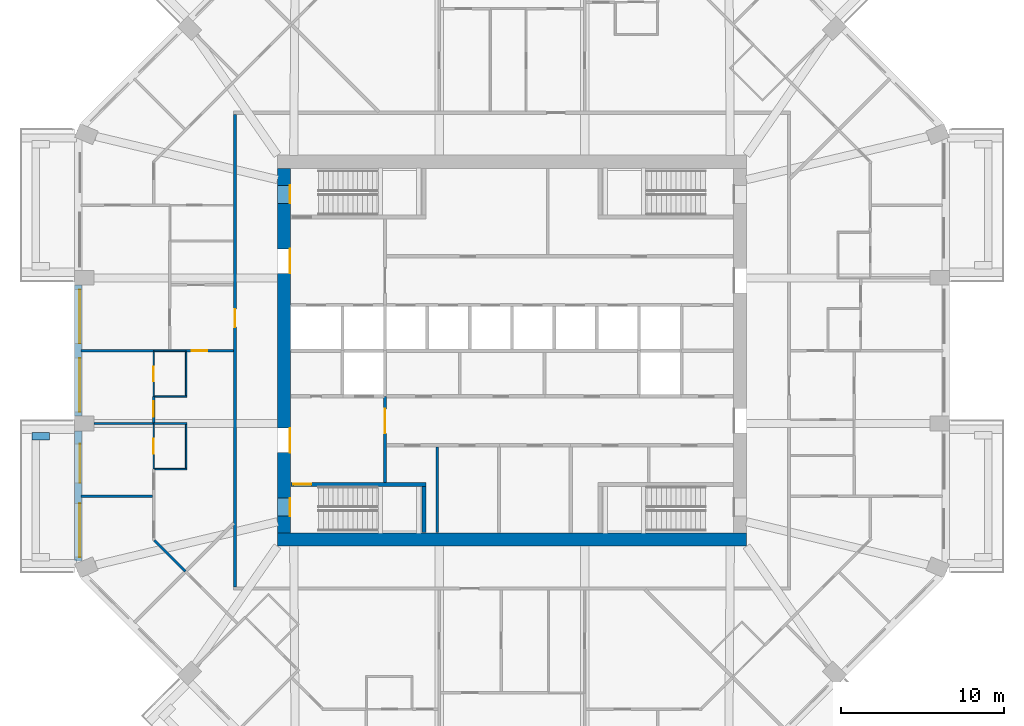
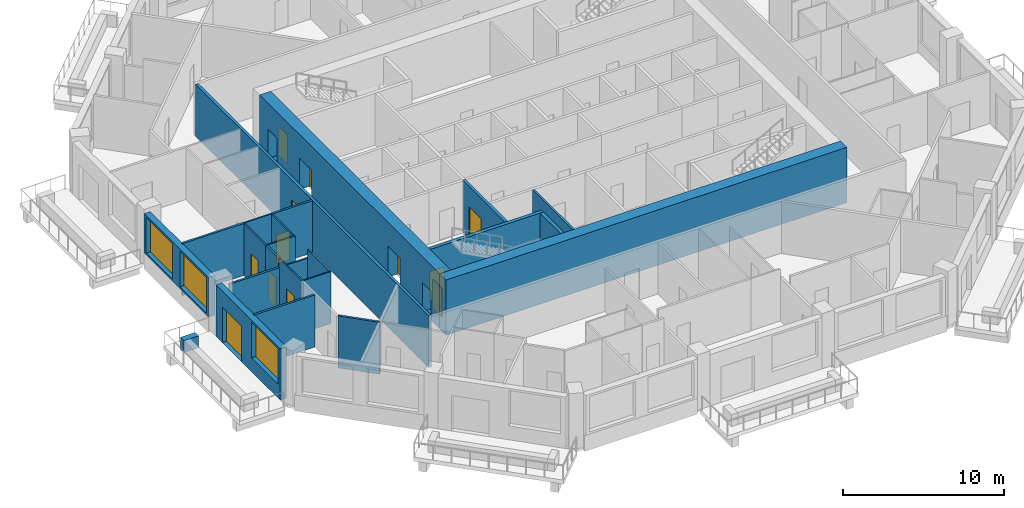
# One storey, part 4 of 13: 24 walls, 12 doors, 3 windows, 15 openings.
"""IFC4 building model written with IfcOpenShell, lengths in metres."""

from ifc_helpers import new_model, si_unit, direction, frame, frame_2d, origin, place, context, subcontext, project, spatial, rectangle, extrude, material, layer, layer_set, type_object, element, fill, save


model = new_model("IFC4")

# Units and contexts
model_context = context("Model", 3, precision=1e-05, world=origin(), true_north=direction((0.0, 1.0)))
body_context = subcontext(model_context, "Body", "Model", "MODEL_VIEW")
ifc_project = project(units=[si_unit("LENGTHUNIT", "METRE"), si_unit("AREAUNIT", "SQUARE_METRE"), si_unit("VOLUMEUNIT", "CUBIC_METRE"), si_unit("PLANEANGLEUNIT", "RADIAN"), si_unit("MASSUNIT", "GRAM", prefix="KILO")], contexts=[model_context])

# Site, building, storey
site_placement = place(None, origin())
site = spatial("IfcSite", under=ifc_project, at=site_placement, CompositionType="ELEMENT")
building_placement = place(site_placement, origin())
building = spatial("IfcBuilding", under=site, at=building_placement, Name="Msitu Wima Residences", CompositionType="ELEMENT")
storey_placement = place(building_placement, frame((0.0, 0.0, 140.10009765625)))
storey = spatial("IfcBuildingStorey", under=building, at=storey_placement, Name="L32", CompositionType="ELEMENT", Elevation=140.10009765625)

# Wall
ifc_material_1 = material(Name="Facing brick")
ifc_layer_1 = layer(ifc_material_1, 0.06494140625, Name="Facing brick")
ifc_material_2 = material(Name="Concrete C40/50", Category="concrete")
ifc_layer_2 = layer(ifc_material_2, 0.156005859375, Name="Concrete C40/50")
ifc_material_3 = material(Name="Waterproofing membrane")
ifc_layer_3 = layer(ifc_material_3, 0.00390625, Name="Waterproofing membrane")
ifc_material_4 = material(Name="Planting soil and planting")
ifc_layer_4 = layer(ifc_material_4, 0.22509765625, Name="Planting soil and planting")
ifc_layer_set_1 = layer_set([ifc_layer_1, ifc_layer_2, ifc_layer_3, ifc_layer_4], Name="Concrete C40/50")
wall_type_1 = type_object("IfcWallType", Name="Balcony planter PLANTER PL450", PredefinedType="USERDEFINED", material=ifc_layer_set_1)
wall_1_placement = place(storey_placement, frame((-28.39990234375, -5.24365234375, 0.0), z_axis=(0.0, 0.0, 1.0), x_axis=(-1.0, 0.0, 0.0)))
element("IfcWall", 1, at=wall_1_placement, inside=storey, type_object=wall_type_1, Name="Balcony planter W2 L32", ObjectType="PLANTER", PredefinedType="USERDEFINED", context=body_context, shape_type="SweptSolid", body=[
    extrude(rectangle(XDim=1.050048828125, YDim=0.449951171875, at=frame_2d((0.52490234375, 0.0))), origin(), (0.0, 0.0, 1.0), 0.89990234375),
])

# Wall, openings, windows
ifc_material_5 = material(Name="Brick (red buff mix)", Category="masonry")
ifc_layer_5 = layer(ifc_material_5, 0.449951171875)
ifc_layer_set_2 = layer_set([ifc_layer_5], Name="Brick (red buff mix)")
wall_type_2 = type_object("IfcWallType", Name="Brick infill wall BW450", PredefinedType="SOLIDWALL", material=ifc_layer_set_2)
wall_2_placement = place(storey_placement, frame((-26.625, 4.0185546875, 0.89990234375), z_axis=(0.0, 0.0, 1.0), x_axis=(0.0, -1.0, 0.0)))
wall_2 = element("IfcWall", 2, at=wall_2_placement, inside=storey, type_object=wall_type_2, Name="Brick infill wall L32 W1", PredefinedType="SOLIDWALL", context=body_context, shape_type="SweptSolid", body=[
    extrude(rectangle(XDim=8.037109375, YDim=0.449951171875, at=frame_2d((4.0185546875, 0.0))), origin(), (0.0, 0.0, 1.0), 3.0),
])
opening_1_placement = place(wall_2_placement, frame((0.2685546875, 0.0, 0.14990234375)))
opening_1 = element("IfcOpeningElement", 3, at=opening_1_placement, cuts=wall_2, Name="Opening W30-32.028", PredefinedType="OPENING", context=body_context, shape_type="SweptSolid", body=[
    extrude(rectangle(XDim=3.300048828125, YDim=2.699951171875, at=frame_2d((1.64990234375, 1.35009765625))), frame((0.0, 0.23486328125, 0.0), z_axis=(0.0, -1.0, 0.0), x_axis=(1.0, 0.0, 0.0)), (0.0, 0.0, 1.0), 0.469970703125),
])
opening_2_placement = place(wall_2_placement, frame((4.46875, 0.0, 0.14990234375)))
opening_2 = element("IfcOpeningElement", 4, at=opening_2_placement, cuts=wall_2, Name="Opening W30-32.029", PredefinedType="OPENING", context=body_context, shape_type="SweptSolid", body=[
    extrude(rectangle(XDim=3.300048828125, YDim=2.699951171875, at=frame_2d((1.64990234375, 1.35009765625))), frame((0.0, 0.23486328125, 0.0), z_axis=(0.0, -1.0, 0.0), x_axis=(1.0, 0.0, 0.0)), (0.0, 0.0, 1.0), 0.469970703125),
])
ifc_material_6 = material(Name="Anodised aluminium, bronze finish, clear low-emissivity double glazing", Category="aluminium")
window_type = type_object("IfcWindowType", Name="Window W3300x2700", PartitioningType="DOUBLE_PANEL_VERTICAL", PredefinedType="WINDOW", material=ifc_material_6)
window_1_placement = place(opening_1_placement, origin())
window_1 = element("IfcWindow", 5, at=window_1_placement, inside=storey, type_object=window_type, Name="Window L32 W1.1", OverallHeight=2.699951171875, OverallWidth=3.300048828125, PartitioningType="SINGLE_PANEL", PredefinedType="WINDOW", context=body_context, shape_type="SweptSolid", body=[
    extrude(rectangle(XDim=3.300048828125, YDim=2.699951171875, at=frame_2d((1.64990234375, 1.35009765625))), frame((0.0, 0.135009765625, 0.0), z_axis=(0.0, -1.0, 0.0), x_axis=(1.0, 0.0, 0.0)), (0.0, 0.0, 1.0), 0.06005859375),
])
fill(opening_1, window_1)
window_2_placement = place(opening_2_placement, origin())
window_2 = element("IfcWindow", 6, at=window_2_placement, inside=storey, type_object=window_type, Name="Window L32 W1.2", OverallHeight=2.699951171875, OverallWidth=3.300048828125, PartitioningType="SINGLE_PANEL", PredefinedType="WINDOW", context=body_context, shape_type="SweptSolid", body=[
    extrude(rectangle(XDim=3.300048828125, YDim=2.699951171875, at=frame_2d((1.64990234375, 1.35009765625))), frame((0.0, 0.135009765625, 0.0), z_axis=(0.0, -1.0, 0.0), x_axis=(1.0, 0.0, 0.0)), (0.0, 0.0, 1.0), 0.06005859375),
])
fill(opening_2, window_2)

# Wall, openings, door, window
wall_3_placement = place(storey_placement, frame((-26.625, -4.918701171875, 0.0), z_axis=(0.0, 0.0, 1.0), x_axis=(0.0, -1.0, 0.0)))
wall_3 = element("IfcWall", 7, at=wall_3_placement, inside=storey, type_object=wall_type_2, Name="Brick infill wall L32 W2", PredefinedType="SOLIDWALL", context=body_context, shape_type="SweptSolid", body=[
    extrude(rectangle(XDim=8.0, YDim=0.449951171875, at=frame_2d((4.0, 0.0))), origin(), (0.0, 0.0, 1.0), 3.89990234375),
])
opening_3_placement = place(wall_3_placement, frame((0.800048828125, 0.0, 0.0)))
opening_3 = element("IfcOpeningElement", 8, at=opening_3_placement, cuts=wall_3, Name="Opening D30-32.010", PredefinedType="OPENING", context=body_context, shape_type="SweptSolid", body=[
    extrude(rectangle(XDim=2.39990234375, YDim=2.699951171875, at=frame_2d((1.199951171875, 1.35009765625))), frame((0.0, 0.23486328125, 0.0), z_axis=(0.0, -1.0, 0.0), x_axis=(1.0, 0.0, 0.0)), (0.0, 0.0, 1.0), 0.469970703125),
])
opening_4_placement = place(wall_3_placement, frame((4.4501953125, 0.0, 1.050048828125)))
opening_4 = element("IfcOpeningElement", 9, at=opening_4_placement, cuts=wall_3, Name="Opening W30-32.030", PredefinedType="OPENING", context=body_context, shape_type="SweptSolid", body=[
    extrude(rectangle(XDim=3.300048828125, YDim=2.699951171875, at=frame_2d((1.64990234375, 1.35009765625))), frame((0.0, 0.23486328125, 0.0), z_axis=(0.0, -1.0, 0.0), x_axis=(1.0, 0.0, 0.0)), (0.0, 0.0, 1.0), 0.469970703125),
])
door_type_1 = type_object("IfcDoorType", Name="Balcony door D2400x2700", OperationType="SLIDING_TO_LEFT", PredefinedType="DOOR", material=ifc_material_6)
door_1_placement = place(opening_3_placement, origin())
door_1 = element("IfcDoor", 10, at=door_1_placement, inside=storey, type_object=door_type_1, Name="Balcony door L32 W2", OperationType="SINGLE_SWING_LEFT", OverallHeight=2.699951171875, OverallWidth=2.39990234375, PredefinedType="DOOR", context=body_context, shape_type="SweptSolid", body=[
    extrude(rectangle(XDim=2.39990234375, YDim=2.699951171875, at=frame_2d((1.199951171875, 1.35009765625))), frame((0.0, 0.1298828125, 0.0), z_axis=(0.0, -1.0, 0.0), x_axis=(1.0, 0.0, 0.0)), (0.0, 0.0, 1.0), 0.050048828125),
])
fill(opening_3, door_1)
window_3_placement = place(opening_4_placement, origin())
window_3 = element("IfcWindow", 11, at=window_3_placement, inside=storey, type_object=window_type, Name="Window L32 W2.2", OverallHeight=2.699951171875, OverallWidth=3.300048828125, PartitioningType="SINGLE_PANEL", PredefinedType="WINDOW", context=body_context, shape_type="SweptSolid", body=[
    extrude(rectangle(XDim=3.300048828125, YDim=2.699951171875, at=frame_2d((1.64990234375, 1.35009765625))), frame((0.0, 0.135009765625, 0.0), z_axis=(0.0, -1.0, 0.0), x_axis=(1.0, 0.0, 0.0)), (0.0, 0.0, 1.0), 0.06005859375),
])
fill(opening_4, window_3)

# Wall
ifc_material_7 = material(Name="Concrete C70/85", Category="concrete")
ifc_layer_6 = layer(ifc_material_7, 0.800048828125)
ifc_layer_set_3 = layer_set([ifc_layer_6], Name="Concrete C70/85")
wall_type_3 = type_object("IfcWallType", Name="Core wall CW800 C70/85", PredefinedType="SHEAR", material=ifc_layer_set_3)
wall_4_placement = place(storey_placement, frame((-14.39990234375, -11.60009765625, 0.0), z_axis=(0.0, 0.0, 1.0), x_axis=(1.0, 0.0, 0.0)))
element("IfcWall", 12, at=wall_4_placement, inside=storey, type_object=wall_type_3, Name="Core wall", PredefinedType="SHEAR", context=body_context, shape_type="SweptSolid", body=[
    extrude(rectangle(XDim=28.7998046875, YDim=0.800048828125, at=frame_2d((14.39990234375, 0.0))), origin(), (0.0, 0.0, 1.0), 4.199951171875),
])

# Wall, openings, doors
wall_5_placement = place(storey_placement, frame((-14.0, -11.199951171875, 0.0), z_axis=(0.0, 0.0, 1.0), x_axis=(0.0, 1.0, 0.0)))
wall_5 = element("IfcWall", 13, at=wall_5_placement, inside=storey, type_object=wall_type_3, Name="Core wall", PredefinedType="SHEAR", context=body_context, shape_type="SweptSolid", body=[
    extrude(rectangle(XDim=22.39990234375, YDim=0.800048828125, at=frame_2d((11.199951171875, 0.0))), origin(), (0.0, 0.0, 1.0), 4.199951171875),
])
opening_5_placement = place(wall_5_placement, frame((20.25, 0.0, 0.0)))
opening_5 = element("IfcOpeningElement", 14, at=opening_5_placement, cuts=wall_5, Name="Opening D30-32.034", PredefinedType="OPENING", context=body_context, shape_type="SweptSolid", body=[
    extrude(rectangle(XDim=1.10009765625, YDim=2.199951171875, at=frame_2d((0.550048828125, 1.10009765625))), frame((0.0, 0.409912109375, 0.0), z_axis=(0.0, -1.0, 0.0), x_axis=(1.0, 0.0, 0.0)), (0.0, 0.0, 1.0), 0.820068359375),
])
opening_6_placement = place(wall_5_placement, frame((1.050048828125, 0.0, 0.0)))
opening_6 = element("IfcOpeningElement", 15, at=opening_6_placement, cuts=wall_5, Name="Opening D30-32.036", PredefinedType="OPENING", context=body_context, shape_type="SweptSolid", body=[
    extrude(rectangle(XDim=1.10009765625, YDim=2.199951171875, at=frame_2d((0.550048828125, 1.10009765625))), frame((0.0, 0.409912109375, 0.0), z_axis=(0.0, -1.0, 0.0), x_axis=(1.0, 0.0, 0.0)), (0.0, 0.0, 1.0), 0.820068359375),
])
opening_7_placement = place(wall_5_placement, frame((15.949951171875, 0.0, 0.0)))
opening_7 = element("IfcOpeningElement", 16, at=opening_7_placement, cuts=wall_5, Name="Opening D30-32.016", PredefinedType="OPENING", context=body_context, shape_type="SweptSolid", body=[
    extrude(rectangle(XDim=1.5, YDim=2.39990234375, at=frame_2d((0.75, 1.199951171875))), frame((0.0, 0.409912109375, 0.0), z_axis=(0.0, -1.0, 0.0), x_axis=(1.0, 0.0, 0.0)), (0.0, 0.0, 1.0), 0.820068359375),
])
opening_8_placement = place(wall_5_placement, frame((4.949951171875, 0.0, 0.0)))
opening_8 = element("IfcOpeningElement", 17, at=opening_8_placement, cuts=wall_5, Name="Opening D30-32.018", PredefinedType="OPENING", context=body_context, shape_type="SweptSolid", body=[
    extrude(rectangle(XDim=1.5, YDim=2.39990234375, at=frame_2d((0.75, 1.199951171875))), frame((0.0, 0.409912109375, 0.0), z_axis=(0.0, -1.0, 0.0), x_axis=(1.0, 0.0, 0.0)), (0.0, 0.0, 1.0), 0.820068359375),
])
ifc_material_8 = material(Name="Steel framed glazed door, fire resisting", Category="steel")
door_type_2 = type_object("IfcDoorType", Name="Lobby door D07 1500x2400", OperationType="DOUBLE_DOOR_SINGLE_SWING", PredefinedType="DOOR", material=ifc_material_8)
door_2_placement = place(opening_7_placement, origin())
door_2 = element("IfcDoor", 18, at=door_2_placement, inside=storey, type_object=door_type_2, Name="Lobby door", OperationType="DOUBLE_DOOR_SINGLE_SWING", OverallHeight=2.39990234375, OverallWidth=1.5, PredefinedType="DOOR", context=body_context, shape_type="SweptSolid", body=[
    extrude(rectangle(XDim=1.5, YDim=2.39990234375, at=frame_2d((0.75, 1.199951171875))), frame((0.0, -0.34521484375, 0.0), z_axis=(0.0, -1.0, 0.0), x_axis=(1.0, 0.0, 0.0)), (0.0, 0.0, 1.0), 0.050048828125),
])
fill(opening_7, door_2)
door_3_placement = place(opening_8_placement, origin())
door_3 = element("IfcDoor", 19, at=door_3_placement, inside=storey, type_object=door_type_2, Name="Lobby door", OperationType="DOUBLE_DOOR_SINGLE_SWING", OverallHeight=2.39990234375, OverallWidth=1.5, PredefinedType="DOOR", context=body_context, shape_type="SweptSolid", body=[
    extrude(rectangle(XDim=1.5, YDim=2.39990234375, at=frame_2d((0.75, 1.199951171875))), frame((0.0, -0.34521484375, 0.0), z_axis=(0.0, -1.0, 0.0), x_axis=(1.0, 0.0, 0.0)), (0.0, 0.0, 1.0), 0.050048828125),
])
fill(opening_8, door_3)
ifc_material_9 = material(Name="Steel door, fire resisting, panic bar", Category="steel")
door_type_3 = type_object("IfcDoorType", Name="Stair door D06 1100x2200", OperationType="SINGLE_SWING_LEFT", PredefinedType="DOOR", material=ifc_material_9)
door_4_placement = place(opening_5_placement, origin())
door_4 = element("IfcDoor", 20, at=door_4_placement, inside=storey, type_object=door_type_3, Name="Stair door", OperationType="SINGLE_SWING_RIGHT", OverallHeight=2.199951171875, OverallWidth=1.10009765625, PredefinedType="DOOR", context=body_context, shape_type="SweptSolid", body=[
    extrude(rectangle(XDim=1.10009765625, YDim=2.199951171875, at=frame_2d((0.550048828125, 1.10009765625))), frame((0.0, -0.34521484375, 0.0), z_axis=(0.0, -1.0, 0.0), x_axis=(1.0, 0.0, 0.0)), (0.0, 0.0, 1.0), 0.050048828125),
])
fill(opening_5, door_4)
door_5_placement = place(opening_6_placement, origin())
door_5 = element("IfcDoor", 21, at=door_5_placement, inside=storey, type_object=door_type_3, Name="Stair door", OperationType="SINGLE_SWING_LEFT", OverallHeight=2.199951171875, OverallWidth=1.10009765625, PredefinedType="DOOR", context=body_context, shape_type="SweptSolid", body=[
    extrude(rectangle(XDim=1.10009765625, YDim=2.199951171875, at=frame_2d((0.550048828125, 1.10009765625))), frame((0.0, -0.34521484375, 0.0), z_axis=(0.0, -1.0, 0.0), x_axis=(1.0, 0.0, 0.0)), (0.0, 0.0, 1.0), 0.050048828125),
])
fill(opening_6, door_5)

# Wall, opening, door
ifc_material_10 = material(Name="Plaster")
ifc_layer_7 = layer(ifc_material_10, 0.011962890625, Name="Plaster")
ifc_material_11 = material(Name="Concrete blockwork", Category="masonry")
ifc_layer_8 = layer(ifc_material_11, 0.176025390625, Name="Concrete blockwork")
ifc_layer_9 = layer(ifc_material_10, 0.011962890625, Name="Plaster")
ifc_layer_set_4 = layer_set([ifc_layer_7, ifc_layer_8, ifc_layer_9], Name="Concrete blockwork")
wall_type_4 = type_object("IfcWallType", Name="Corridor wall FW200", PredefinedType="PARTITIONING", material=ifc_layer_set_4)
wall_6_placement = place(storey_placement, frame((-17.0, -14.5, 0.0), z_axis=(0.0, 0.0, 1.0), x_axis=(0.0, 1.0, 0.0)))
wall_6 = element("IfcWall", 22, at=wall_6_placement, inside=storey, type_object=wall_type_4, Name="Corridor wall", PredefinedType="PARTITIONING", context=body_context, shape_type="SweptSolid", body=[
    extrude(rectangle(XDim=29.0, YDim=0.199951171875, at=frame_2d((14.5, 0.0))), origin(), (0.0, 0.0, 1.0), 3.949951171875),
])
opening_9_placement = place(wall_6_placement, frame((15.949951171875, 0.0, 0.0)))
opening_9 = element("IfcOpeningElement", 23, at=opening_9_placement, cuts=wall_6, Name="Opening D30-32.012", PredefinedType="OPENING", context=body_context, shape_type="SweptSolid", body=[
    extrude(rectangle(XDim=1.10009765625, YDim=2.39990234375, at=frame_2d((0.550048828125, 1.199951171875))), frame((0.0, 0.10986328125, 0.0), z_axis=(0.0, -1.0, 0.0), x_axis=(1.0, 0.0, 0.0)), (0.0, 0.0, 1.0), 0.219970703125),
])
ifc_material_12 = material(Name="Timber flush door, fire resisting, self-closing", Category="wood")
door_type_4 = type_object("IfcDoorType", Name="Flat entrance door D01 1100x2400", OperationType="SINGLE_SWING_LEFT", PredefinedType="DOOR", material=ifc_material_12)
door_6_placement = place(opening_9_placement, origin())
door_6 = element("IfcDoor", 24, at=door_6_placement, inside=storey, type_object=door_type_4, Name="Flat entrance door", OperationType="SINGLE_SWING_LEFT", OverallHeight=2.39990234375, OverallWidth=1.10009765625, PredefinedType="DOOR", context=body_context, shape_type="SweptSolid", body=[
    extrude(rectangle(XDim=1.10009765625, YDim=2.39990234375, at=frame_2d((0.550048828125, 1.199951171875))), frame((0.0, 0.02490234375, 0.0), z_axis=(0.0, -1.0, 0.0), x_axis=(1.0, 0.0, 0.0)), (0.0, 0.0, 1.0), 0.050048828125),
])
fill(opening_9, door_6)

wall_7_placement = place(storey_placement, frame((-7.800048828125, -8.074951171875, 0.0), z_axis=(0.0, 0.0, 1.0), x_axis=(0.0, 1.0, 0.0)))
wall_7 = element("IfcWall", 25, at=wall_7_placement, inside=storey, type_object=wall_type_4, Name="Corridor wall", PredefinedType="PARTITIONING", context=body_context, shape_type="SweptSolid", body=[
    extrude(rectangle(XDim=5.27490234375, YDim=0.199951171875, at=frame_2d((2.637451171875, 0.0))), origin(), (0.0, 0.0, 1.0), 3.949951171875),
])
opening_10_placement = place(wall_7_placement, frame((3.0, 0.0, 0.0)))
opening_10 = element("IfcOpeningElement", 26, at=opening_10_placement, cuts=wall_7, Name="Opening D30-32.019", PredefinedType="OPENING", context=body_context, shape_type="SweptSolid", body=[
    extrude(rectangle(XDim=1.5, YDim=2.39990234375, at=frame_2d((0.75, 1.199951171875))), frame((0.0, 0.10986328125, 0.0), z_axis=(0.0, -1.0, 0.0), x_axis=(1.0, 0.0, 0.0)), (0.0, 0.0, 1.0), 0.219970703125),
])
door_7_placement = place(opening_10_placement, origin())
door_7 = element("IfcDoor", 27, at=door_7_placement, inside=storey, type_object=door_type_2, Name="Lobby door", OperationType="DOUBLE_DOOR_SINGLE_SWING", OverallHeight=2.39990234375, OverallWidth=1.5, PredefinedType="DOOR", context=body_context, shape_type="SweptSolid", body=[
    extrude(rectangle(XDim=1.5, YDim=2.39990234375, at=frame_2d((0.75, 1.199951171875))), frame((0.0, 0.02490234375, 0.0), z_axis=(0.0, -1.0, 0.0), x_axis=(1.0, 0.0, 0.0)), (0.0, 0.0, 1.0), 0.050048828125),
])
fill(opening_10, door_7)

# Walls
ifc_layer_10 = layer(ifc_material_10, 0.011962890625, Name="Plaster")
ifc_layer_11 = layer(ifc_material_11, 0.1259765625, Name="Concrete blockwork")
ifc_layer_12 = layer(ifc_material_10, 0.011962890625, Name="Plaster")
ifc_layer_set_5 = layer_set([ifc_layer_10, ifc_layer_11, ifc_layer_12], Name="Concrete blockwork")
wall_type_5 = type_object("IfcWallType", Name="Partition PW150", PredefinedType="PARTITIONING", material=ifc_layer_set_5)
wall_8_placement = place(storey_placement, frame((-26.455078125, -8.937255859375, 0.0), z_axis=(0.0, 0.0, 1.0), x_axis=(1.0, 0.0, 0.0)))
element("IfcWall", 28, at=wall_8_placement, inside=storey, type_object=wall_type_5, Name="Partition", PredefinedType="PARTITIONING", context=body_context, shape_type="SweptSolid", body=[
    extrude(rectangle(XDim=4.380126953125, YDim=0.14990234375, at=frame_2d((2.18994140625, 0.0))), origin(), (0.0, 0.0, 1.0), 3.949951171875),
])
wall_9_placement = place(storey_placement, frame((-25.64990234375, -4.46875, 0.0), z_axis=(0.0, 0.0, 1.0), x_axis=(1.0, 0.0, 0.0)))
element("IfcWall", 29, at=wall_9_placement, inside=storey, type_object=wall_type_5, Name="Partition", PredefinedType="PARTITIONING", context=body_context, shape_type="SweptSolid", body=[
    extrude(rectangle(XDim=3.669921875, YDim=0.14990234375, at=frame_2d((1.8349609375, 0.0))), origin(), (0.0, 0.0, 1.0), 3.2998046875),
])
wall_10_placement = place(storey_placement, frame((-26.455078125, 0.0, 0.0), z_axis=(0.0, 0.0, 1.0), x_axis=(1.0, 0.0, 0.0)))
element("IfcWall", 30, at=wall_10_placement, inside=storey, type_object=wall_type_5, Name="Partition", PredefinedType="PARTITIONING", context=body_context, shape_type="SweptSolid", body=[
    extrude(rectangle(XDim=4.47509765625, YDim=0.14990234375, at=frame_2d((2.237548828125, 0.0))), origin(), (0.0, 0.0, 1.0), 3.949951171875),
])
wall_11_placement = place(storey_placement, frame((-21.947021484375, -11.636474609375, 0.0), z_axis=(0.0, 0.0, 1.0), x_axis=(0.707106781187, -0.707106781187, 0.0)))
element("IfcWall", 31, at=wall_11_placement, inside=storey, type_object=wall_type_5, Name="Partition", PredefinedType="PARTITIONING", context=body_context, shape_type="SweptSolid", body=[
    extrude(rectangle(XDim=2.696533203125, YDim=0.14990234375, at=frame_2d((1.34814453125, 0.0))), origin(), (0.0, 0.0, 1.0), 3.949951171875),
])

# Wall, opening, door
wall_12_placement = place(storey_placement, frame((-22.0, -4.44873046875, 0.0), z_axis=(0.0, 0.0, 1.0), x_axis=(0.0, 1.0, 0.0)))
wall_12 = element("IfcWall", 32, at=wall_12_placement, inside=storey, type_object=wall_type_5, Name="Partition", PredefinedType="PARTITIONING", context=body_context, shape_type="SweptSolid", body=[
    extrude(rectangle(XDim=1.628662109375, YDim=0.14990234375, at=frame_2d((0.814453125, 0.0))), origin(), (0.0, 0.0, 1.0), 3.949951171875),
])
opening_11_placement = place(wall_12_placement, frame((0.39990234375, 0.0, 0.0)))
opening_11 = element("IfcOpeningElement", 33, at=opening_11_placement, cuts=wall_12, Name="Opening D30-32.050", PredefinedType="OPENING", context=body_context, shape_type="SweptSolid", body=[
    extrude(rectangle(XDim=0.949951171875, YDim=2.199951171875, at=frame_2d((0.47509765625, 1.10009765625))), frame((0.0, 0.0849609375, 0.0), z_axis=(0.0, -1.0, 0.0), x_axis=(1.0, 0.0, 0.0)), (0.0, 0.0, 1.0), 0.169921875),
])
ifc_material_13 = material(Name="Timber flush door", Category="wood")
door_type_5 = type_object("IfcDoorType", Name="Room door D12 950x2200", OperationType="SINGLE_SWING_LEFT", PredefinedType="DOOR", material=ifc_material_13)
door_8_placement = place(opening_11_placement, origin())
door_8 = element("IfcDoor", 34, at=door_8_placement, inside=storey, type_object=door_type_5, Name="Room door", OperationType="SINGLE_SWING_LEFT", OverallHeight=2.199951171875, OverallWidth=0.949951171875, PredefinedType="DOOR", context=body_context, shape_type="SweptSolid", body=[
    extrude(rectangle(XDim=0.949951171875, YDim=2.199951171875, at=frame_2d((0.47509765625, 1.10009765625))), frame((0.0, 0.02490234375, 0.0), z_axis=(0.0, -1.0, 0.0), x_axis=(1.0, 0.0, 0.0)), (0.0, 0.0, 1.0), 0.050048828125),
])
fill(opening_11, door_8)

wall_13_placement = place(storey_placement, frame((-20.02001953125, 0.0, 0.0), z_axis=(0.0, 0.0, 1.0), x_axis=(1.0, 0.0, 0.0)))
wall_13 = element("IfcWall", 35, at=wall_13_placement, inside=storey, type_object=wall_type_5, Name="Partition", PredefinedType="PARTITIONING", context=body_context, shape_type="SweptSolid", body=[
    extrude(rectangle(XDim=2.919921875, YDim=0.14990234375, at=frame_2d((1.4599609375, 0.0))), origin(), (0.0, 0.0, 1.0), 3.949951171875),
])
opening_12_placement = place(wall_13_placement, frame((0.35009765625, 0.0, 0.0)))
opening_12 = element("IfcOpeningElement", 36, at=opening_12_placement, cuts=wall_13, Name="Opening D30-32.047", PredefinedType="OPENING", context=body_context, shape_type="SweptSolid", body=[
    extrude(rectangle(XDim=0.949951171875, YDim=2.199951171875, at=frame_2d((0.47509765625, 1.10009765625))), frame((0.0, 0.0849609375, 0.0), z_axis=(0.0, -1.0, 0.0), x_axis=(1.0, 0.0, 0.0)), (0.0, 0.0, 1.0), 0.169921875),
])
door_9_placement = place(opening_12_placement, origin())
door_9 = element("IfcDoor", 37, at=door_9_placement, inside=storey, type_object=door_type_5, Name="Room door", OperationType="SINGLE_SWING_RIGHT", OverallHeight=2.199951171875, OverallWidth=0.949951171875, PredefinedType="DOOR", context=body_context, shape_type="SweptSolid", body=[
    extrude(rectangle(XDim=0.949951171875, YDim=2.199951171875, at=frame_2d((0.47509765625, 1.10009765625))), frame((0.0, 0.02490234375, 0.0), z_axis=(0.0, -1.0, 0.0), x_axis=(1.0, 0.0, 0.0)), (0.0, 0.0, 1.0), 0.050048828125),
])
fill(opening_12, door_9)

# Wall
wall_14_placement = place(storey_placement, frame((-4.60009765625, -11.169921875, 0.0), z_axis=(0.0, 0.0, 1.0), x_axis=(0.0, 1.0, 0.0)))
element("IfcWall", 38, at=wall_14_placement, inside=storey, type_object=wall_type_5, Name="Partition", PredefinedType="PARTITIONING", context=body_context, shape_type="SweptSolid", body=[
    extrude(rectangle(XDim=5.27001953125, YDim=0.14990234375, at=frame_2d((2.635009765625, 0.0))), origin(), (0.0, 0.0, 1.0), 3.949951171875),
])

# Wall, opening, door
ifc_material_14 = material(Name="Concrete C50/60", Category="concrete")
ifc_layer_13 = layer(ifc_material_14, 0.25)
ifc_layer_set_6 = layer_set([ifc_layer_13], Name="Concrete C50/60")
wall_type_6 = type_object("IfcWallType", Name="Stair enclosure wall SW250", PredefinedType="SHEAR", material=ifc_layer_set_6)
wall_15_placement = place(storey_placement, frame((-13.570068359375, -8.199951171875, 0.0), z_axis=(0.0, 0.0, 1.0), x_axis=(1.0, 0.0, 0.0)))
wall_15 = element("IfcWall", 39, at=wall_15_placement, inside=storey, type_object=wall_type_6, Name="Stair enclosure wall", PredefinedType="SHEAR", context=body_context, shape_type="SweptSolid", body=[
    extrude(rectangle(XDim=8.295166015625, YDim=0.25, at=frame_2d((4.1474609375, 0.0))), origin(), (0.0, 0.0, 1.0), 3.949951171875),
])
opening_13_placement = place(wall_15_placement, frame((0.14990234375, 0.0, 0.0)))
opening_13 = element("IfcOpeningElement", 40, at=opening_13_placement, cuts=wall_15, Name="Opening D30-32.037", PredefinedType="OPENING", context=body_context, shape_type="SweptSolid", body=[
    extrude(rectangle(XDim=1.10009765625, YDim=2.199951171875, at=frame_2d((0.550048828125, 1.10009765625))), frame((0.0, 0.135009765625, 0.0), z_axis=(0.0, -1.0, 0.0), x_axis=(1.0, 0.0, 0.0)), (0.0, 0.0, 1.0), 0.27001953125),
])
door_10_placement = place(opening_13_placement, origin())
door_10 = element("IfcDoor", 41, at=door_10_placement, inside=storey, type_object=door_type_3, Name="Stair door", OperationType="SINGLE_SWING_RIGHT", OverallHeight=2.199951171875, OverallWidth=1.10009765625, PredefinedType="DOOR", context=body_context, shape_type="SweptSolid", body=[
    extrude(rectangle(XDim=1.10009765625, YDim=2.199951171875, at=frame_2d((0.550048828125, 1.10009765625))), frame((0.0, 0.02490234375, 0.0), z_axis=(0.0, -1.0, 0.0), x_axis=(1.0, 0.0, 0.0)), (0.0, 0.0, 1.0), 0.050048828125),
])
fill(opening_13, door_10)

# Walls
wall_16_placement = place(storey_placement, frame((-5.39990234375, -11.169921875, 0.0), z_axis=(0.0, 0.0, 1.0), x_axis=(0.0, 1.0, 0.0)))
element("IfcWall", 42, at=wall_16_placement, inside=storey, type_object=wall_type_6, Name="Stair enclosure wall", PredefinedType="SHEAR", context=body_context, shape_type="SweptSolid", body=[
    extrude(rectangle(XDim=2.844970703125, YDim=0.25, at=frame_2d((1.42236328125, 0.0))), origin(), (0.0, 0.0, 1.0), 3.949951171875),
])
ifc_material_15 = material(Name="Ceramic tiles")
ifc_layer_14 = layer(ifc_material_15, 0.008056640625, Name="Ceramic tiles")
ifc_material_16 = material(Name="Moisture-resistant board")
ifc_layer_15 = layer(ifc_material_16, 0.012451171875, Name="Moisture-resistant board")
ifc_material_17 = material(Name="Light-gauge stud framing with mineral wool")
ifc_layer_16 = layer(ifc_material_17, 0.06689453125, Name="Light-gauge stud framing with mineral wool")
ifc_layer_17 = layer(ifc_material_16, 0.012451171875, Name="Moisture-resistant board")
ifc_layer_set_7 = layer_set([ifc_layer_14, ifc_layer_15, ifc_layer_16, ifc_layer_17], Name="Light-gauge stud framing with mineral wool")
wall_type_7 = type_object("IfcWallType", Name="Wet wall PW100", PredefinedType="PARTITIONING", material=ifc_layer_set_7)
wall_17_placement = place(storey_placement, frame((-21.97998046875, -4.46875, 0.0), z_axis=(0.0, 0.0, 1.0), x_axis=(1.0, 0.0, 0.0)))
element("IfcWall", 43, at=wall_17_placement, inside=storey, type_object=wall_type_7, Name="Wet wall", PredefinedType="PARTITIONING", context=body_context, shape_type="SweptSolid", body=[
    extrude(rectangle(XDim=2.030029296875, YDim=0.10009765625, at=frame_2d((1.01513671875, 0.0))), origin(), (0.0, 0.0, 1.0), 3.2998046875),
])
wall_18_placement = place(storey_placement, frame((-21.97998046875, 0.0, 0.0), z_axis=(0.0, 0.0, 1.0), x_axis=(1.0, 0.0, 0.0)))
element("IfcWall", 44, at=wall_18_placement, inside=storey, type_object=wall_type_7, Name="Wet wall", PredefinedType="PARTITIONING", context=body_context, shape_type="SweptSolid", body=[
    extrude(rectangle(XDim=1.9599609375, YDim=0.10009765625, at=frame_2d((0.97998046875, 0.0))), origin(), (0.0, 0.0, 1.0), 3.949951171875),
])

# Wall, opening, door
wall_19_placement = place(storey_placement, frame((-22.0, -7.2685546875, 0.0), z_axis=(0.0, 0.0, 1.0), x_axis=(0.0, 1.0, 0.0)))
wall_19 = element("IfcWall", 45, at=wall_19_placement, inside=storey, type_object=wall_type_7, Name="Wet wall", PredefinedType="PARTITIONING", context=body_context, shape_type="SweptSolid", body=[
    extrude(rectangle(XDim=2.81982421875, YDim=0.10009765625, at=frame_2d((1.409912109375, 0.0))), origin(), (0.0, 0.0, 1.0), 3.949951171875),
])
opening_14_placement = place(wall_19_placement, frame((0.949951171875, 0.0, 0.0)))
opening_14 = element("IfcOpeningElement", 46, at=opening_14_placement, cuts=wall_19, Name="Opening D30-32.049", PredefinedType="OPENING", context=body_context, shape_type="SweptSolid", body=[
    extrude(rectangle(XDim=0.89990234375, YDim=2.199951171875, at=frame_2d((0.449951171875, 1.10009765625))), frame((0.0, 0.06005859375, 0.0), z_axis=(0.0, -1.0, 0.0), x_axis=(1.0, 0.0, 0.0)), (0.0, 0.0, 1.0), 0.1201171875),
])
ifc_material_18 = material(Name="Timber flush door, moisture resistant", Category="wood")
door_type_6 = type_object("IfcDoorType", Name="Bathroom door D03 900x2200", OperationType="SINGLE_SWING_LEFT", PredefinedType="DOOR", material=ifc_material_18)
door_11_placement = place(opening_14_placement, origin())
door_11 = element("IfcDoor", 47, at=door_11_placement, inside=storey, type_object=door_type_6, Name="Bathroom door", OperationType="SINGLE_SWING_RIGHT", OverallHeight=2.199951171875, OverallWidth=0.89990234375, PredefinedType="DOOR", context=body_context, shape_type="SweptSolid", body=[
    extrude(rectangle(XDim=0.89990234375, YDim=2.199951171875, at=frame_2d((0.449951171875, 1.10009765625))), frame((0.0, 0.02490234375, 0.0), z_axis=(0.0, -1.0, 0.0), x_axis=(1.0, 0.0, 0.0)), (0.0, 0.0, 1.0), 0.050048828125),
])
fill(opening_14, door_11)

# Wall
wall_20_placement = place(storey_placement, frame((-21.925048828125, -7.2685546875, 0.0), z_axis=(0.0, 0.0, 1.0), x_axis=(1.0, 0.0, 0.0)))
element("IfcWall", 48, at=wall_20_placement, inside=storey, type_object=wall_type_7, Name="Wet wall", PredefinedType="PARTITIONING", context=body_context, shape_type="SweptSolid", body=[
    extrude(rectangle(XDim=1.97509765625, YDim=0.10009765625, at=frame_2d((0.987548828125, 0.0))), origin(), (0.0, 0.0, 1.0), 3.949951171875),
])

# Wall, opening, door
wall_21_placement = place(storey_placement, frame((-22.0, -2.820068359375, 0.0), z_axis=(0.0, 0.0, 1.0), x_axis=(0.0, 1.0, 0.0)))
wall_21 = element("IfcWall", 49, at=wall_21_placement, inside=storey, type_object=wall_type_7, Name="Wet wall", PredefinedType="PARTITIONING", context=body_context, shape_type="SweptSolid", body=[
    extrude(rectangle(XDim=2.7451171875, YDim=0.10009765625, at=frame_2d((1.37255859375, 0.0))), origin(), (0.0, 0.0, 1.0), 3.949951171875),
])
opening_15_placement = place(wall_21_placement, frame((0.949951171875, 0.0, 0.0)))
opening_15 = element("IfcOpeningElement", 50, at=opening_15_placement, cuts=wall_21, Name="Opening D30-32.052", PredefinedType="OPENING", context=body_context, shape_type="SweptSolid", body=[
    extrude(rectangle(XDim=0.89990234375, YDim=2.199951171875, at=frame_2d((0.449951171875, 1.10009765625))), frame((0.0, 0.06005859375, 0.0), z_axis=(0.0, -1.0, 0.0), x_axis=(1.0, 0.0, 0.0)), (0.0, 0.0, 1.0), 0.1201171875),
])
door_12_placement = place(opening_15_placement, origin())
door_12 = element("IfcDoor", 51, at=door_12_placement, inside=storey, type_object=door_type_6, Name="Bathroom door", OperationType="SINGLE_SWING_RIGHT", OverallHeight=2.199951171875, OverallWidth=0.89990234375, PredefinedType="DOOR", context=body_context, shape_type="SweptSolid", body=[
    extrude(rectangle(XDim=0.89990234375, YDim=2.199951171875, at=frame_2d((0.449951171875, 1.10009765625))), frame((0.0, 0.02490234375, 0.0), z_axis=(0.0, -1.0, 0.0), x_axis=(1.0, 0.0, 0.0)), (0.0, 0.0, 1.0), 0.050048828125),
])
fill(opening_15, door_12)

# Walls
wall_22_placement = place(storey_placement, frame((-21.925048828125, -2.800048828125, 0.0), z_axis=(0.0, 0.0, 1.0), x_axis=(1.0, 0.0, 0.0)))
element("IfcWall", 52, at=wall_22_placement, inside=storey, type_object=wall_type_7, Name="Wet wall", PredefinedType="PARTITIONING", context=body_context, shape_type="SweptSolid", body=[
    extrude(rectangle(XDim=1.97509765625, YDim=0.10009765625, at=frame_2d((0.987548828125, 0.0))), origin(), (0.0, 0.0, 1.0), 3.949951171875),
])
wall_23_placement = place(storey_placement, frame((-20.0, -7.21875, 0.0), z_axis=(0.0, 0.0, 1.0), x_axis=(0.0, 1.0, 0.0)))
element("IfcWall", 53, at=wall_23_placement, inside=storey, type_object=wall_type_7, Name="Wet wall", PredefinedType="PARTITIONING", context=body_context, shape_type="SweptSolid", body=[
    extrude(rectangle(XDim=2.7001953125, YDim=0.10009765625, at=frame_2d((1.35009765625, 0.0))), origin(), (0.0, 0.0, 1.0), 3.949951171875),
])
wall_24_placement = place(storey_placement, frame((-20.0, -2.75, 0.0), z_axis=(0.0, 0.0, 1.0), x_axis=(0.0, 1.0, 0.0)))
element("IfcWall", 54, at=wall_24_placement, inside=storey, type_object=wall_type_7, Name="Wet wall", PredefinedType="PARTITIONING", context=body_context, shape_type="SweptSolid", body=[
    extrude(rectangle(XDim=2.675048828125, YDim=0.10009765625, at=frame_2d((1.33740234375, 0.0))), origin(), (0.0, 0.0, 1.0), 3.949951171875),
])

save(model, "model.ifc")
